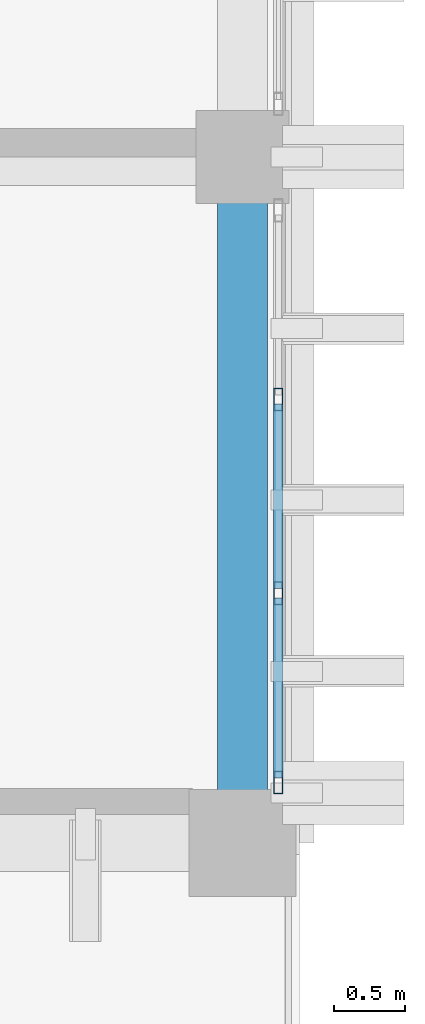
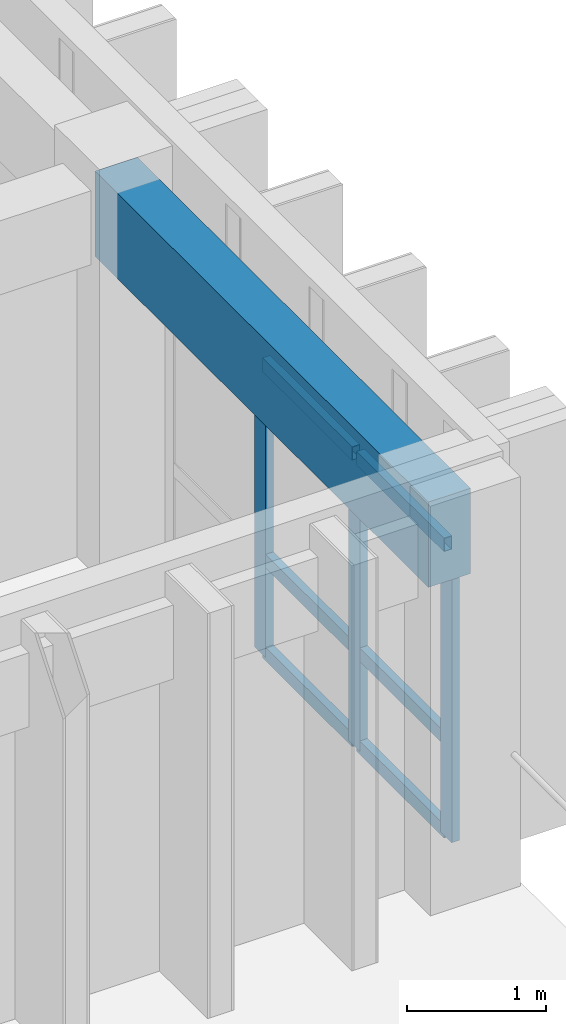
# One storey, part 6 of 64: 9 members, 1 beam, 1 element without a shape of its own.
"""IFC4 building model written with IfcOpenShell, lengths in metres."""

from ifc_helpers import new_model, si_unit, direction, frame, origin, origin_2d, place, context, subcontext, project, spatial, rectangle, hollow_rectangle, extrude, material, layer, layer_set, material_profile, profile_set, type_object, element, aggregate, save


model = new_model("IFC4")

# Units and contexts
model_context = context("Model", 3, precision=1e-05, world=origin(), true_north=direction((0.0, 1.0)))
body_context = subcontext(model_context, "Body", "Model", "MODEL_VIEW")
ifc_project = project(units=[si_unit("LENGTHUNIT", "METRE"), si_unit("AREAUNIT", "SQUARE_METRE"), si_unit("VOLUMEUNIT", "CUBIC_METRE"), si_unit("PLANEANGLEUNIT", "RADIAN"), si_unit("MASSUNIT", "GRAM", prefix="KILO")], contexts=[model_context])

# Site, building, storey
site_placement = place(None, origin())
site = spatial("IfcSite", under=ifc_project, at=site_placement, CompositionType="ELEMENT")
building_placement = place(site_placement, origin())
building = spatial("IfcBuilding", under=site, at=building_placement, Name="Nakhvara Creek Congress Hotel", CompositionType="ELEMENT")
storey_placement = place(building_placement, frame((0.0, 0.0, 28.199951171875)))
storey = spatial("IfcBuildingStorey", under=building, at=storey_placement, Name="L06", CompositionType="ELEMENT", Elevation=28.199951171875)

# Beam
ifc_material_1 = material(Name="Concrete C40/50", Category="concrete")
ifc_material_profile_1 = material_profile(ifc_material_1, rectangle(XDim=0.35009765625, YDim=0.75, at=origin_2d()), Name="RC-SPANDREL 350x750", Category="LoadBearing")
ifc_profile_set_1 = profile_set([ifc_material_profile_1], Name="Concrete C40/50")
beam_type = type_object("IfcBeamType", Name="BM-SPN-350X750", PredefinedType="SPANDREL", material=ifc_profile_set_1)
beam_placement = place(storey_placement, frame((179.35009765625, 38.39990234375, 2.965087890625), z_axis=(0.0, 1.0, 0.0), x_axis=(-1.0, 0.0, 0.0)))
element("IfcBeam", 1, at=beam_placement, inside=storey, type_object=beam_type, Name="Beam SP1-L06-2275", PredefinedType="SPANDREL", context=body_context, shape_type="SweptSolid", body=[
    extrude(rectangle(XDim=0.35009765625, YDim=0.75, at=origin_2d()), origin(), (0.0, 0.0, 1.0), 4.800048828125),
])

# Curtain wall, members
ifc_material_2 = material(Name="Bronze-anodised aluminium AW-6063-T6 and double-silver low-E glass", Category="aluminium")
ifc_layer = layer(ifc_material_2, 0.199951171875)
ifc_layer_set = layer_set([ifc_layer], Name="Bronze-anodised aluminium AW-6063-T6 and double-silver low-E glass")
curtain_wall_type = type_object("IfcCurtainWallType", Name="CW-HTL-UNIT", PredefinedType="USERDEFINED", material=ifc_layer_set)
curtain_wall_placement = place(storey_placement, origin())
curtain_wall = element("IfcCurtainWall", 2, at=curtain_wall_placement, inside=storey, type_object=curtain_wall_type, Name="Curtain Wall CW229", ObjectType="UNITISED", PredefinedType="USERDEFINED")
ifc_material_3 = material(Name="Bronze-anodised aluminium AW-6063-T6", Category="aluminium")
ifc_material_profile_2 = material_profile(ifc_material_3, hollow_rectangle(XDim=0.06494140625, YDim=0.159912109375, WallThickness=0.00390625, at=origin_2d()), Name="ALU-MULL 65x160x4", Category="LoadBearing")
ifc_profile_set_2 = profile_set([ifc_material_profile_2], Name="Bronze-anodised aluminium AW-6063-T6")
member_type_1 = type_object("IfcMemberType", Name="CW-MULL-160", PredefinedType="MULLION", material=ifc_profile_set_2)
member_1_placement = place(storey_placement, frame((179.60009765625, 41.50341796875, 0.0), z_axis=(0.0, 0.0, 1.0), x_axis=(1.0, 0.0, 0.0)))
member_1 = element("IfcMember", 3, at=member_1_placement, type_object=member_type_1, Name="CW229 mullion 2", PredefinedType="MULLION", context=body_context, shape_type="SweptSolid", body=[
    extrude(hollow_rectangle(XDim=0.06494140625, YDim=0.159912109375, WallThickness=0.00390625, at=origin_2d()), origin(), (0.0, 0.0, 1.0), 2.58203125),
])
member_2_placement = place(storey_placement, frame((179.60009765625, 40.146728515625, 0.0), z_axis=(0.0, 0.0, 1.0), x_axis=(1.0, 0.0, 0.0)))
member_2 = element("IfcMember", 4, at=member_2_placement, type_object=member_type_1, Name="CW229 mullion 3", PredefinedType="MULLION", context=body_context, shape_type="SweptSolid", body=[
    extrude(hollow_rectangle(XDim=0.06494140625, YDim=0.159912109375, WallThickness=0.00390625, at=origin_2d()), origin(), (0.0, 0.0, 1.0), 2.58203125),
])
member_3_placement = place(storey_placement, frame((179.60009765625, 38.822509765625, 0.0), z_axis=(0.0, 0.0, 1.0), x_axis=(1.0, 0.0, 0.0)))
member_3 = element("IfcMember", 5, at=member_3_placement, type_object=member_type_1, Name="CW229 mullion 4", PredefinedType="MULLION", context=body_context, shape_type="SweptSolid", body=[
    extrude(hollow_rectangle(XDim=0.06494140625, YDim=0.159912109375, WallThickness=0.00390625, at=origin_2d()), origin(), (0.0, 0.0, 1.0), 2.58203125),
])
ifc_material_profile_3 = material_profile(ifc_material_3, hollow_rectangle(XDim=0.06494140625, YDim=0.1201171875, WallThickness=0.00390625, at=origin_2d()), Name="ALU-TRAN 65x120x4", Category="LoadBearing")
ifc_profile_set_3 = profile_set([ifc_material_profile_3], Name="Bronze-anodised aluminium AW-6063-T6")
member_type_2 = type_object("IfcMemberType", Name="CW-TRAN-120", PredefinedType="USERDEFINED", material=ifc_profile_set_3)
member_4_placement = place(storey_placement, frame((179.60009765625, 41.470947265625, 0.032470703125), z_axis=(0.0, -1.0, 0.0), x_axis=(1.0, 0.0, 0.0)))
member_4 = element("IfcMember", 6, at=member_4_placement, type_object=member_type_2, Name="CW229 transom 2.1", ObjectType="TRANSOM", PredefinedType="USERDEFINED", context=body_context, shape_type="SweptSolid", body=[
    extrude(hollow_rectangle(XDim=0.06494140625, YDim=0.1201171875, WallThickness=0.00390625, at=origin_2d()), origin(), (0.0, 0.0, 1.0), 1.291748046875),
])
member_5_placement = place(storey_placement, frame((179.60009765625, 41.470947265625, 0.85009765625), z_axis=(0.0, -1.0, 0.0), x_axis=(1.0, 0.0, 0.0)))
member_5 = element("IfcMember", 7, at=member_5_placement, type_object=member_type_2, Name="CW229 transom 2.2", ObjectType="TRANSOM", PredefinedType="USERDEFINED", context=body_context, shape_type="SweptSolid", body=[
    extrude(hollow_rectangle(XDim=0.06494140625, YDim=0.1201171875, WallThickness=0.00390625, at=origin_2d()), origin(), (0.0, 0.0, 1.0), 1.291748046875),
])
member_6_placement = place(storey_placement, frame((179.60009765625, 41.470947265625, 2.549560546875), z_axis=(0.0, -1.0, 0.0), x_axis=(1.0, 0.0, 0.0)))
member_6 = element("IfcMember", 8, at=member_6_placement, type_object=member_type_2, Name="CW229 transom 2.3", ObjectType="TRANSOM", PredefinedType="USERDEFINED", context=body_context, shape_type="SweptSolid", body=[
    extrude(hollow_rectangle(XDim=0.06494140625, YDim=0.1201171875, WallThickness=0.00390625, at=origin_2d()), origin(), (0.0, 0.0, 1.0), 1.291748046875),
])
member_7_placement = place(storey_placement, frame((179.60009765625, 40.1142578125, 0.032470703125), z_axis=(0.0, -1.0, 0.0), x_axis=(1.0, 0.0, 0.0)))
member_7 = element("IfcMember", 9, at=member_7_placement, type_object=member_type_2, Name="CW229 transom 3.1", ObjectType="TRANSOM", PredefinedType="USERDEFINED", context=body_context, shape_type="SweptSolid", body=[
    extrude(hollow_rectangle(XDim=0.06494140625, YDim=0.1201171875, WallThickness=0.00390625, at=origin_2d()), origin(), (0.0, 0.0, 1.0), 1.25927734375),
])
member_8_placement = place(storey_placement, frame((179.60009765625, 40.1142578125, 0.85009765625), z_axis=(0.0, -1.0, 0.0), x_axis=(1.0, 0.0, 0.0)))
member_8 = element("IfcMember", 10, at=member_8_placement, type_object=member_type_2, Name="CW229 transom 3.2", ObjectType="TRANSOM", PredefinedType="USERDEFINED", context=body_context, shape_type="SweptSolid", body=[
    extrude(hollow_rectangle(XDim=0.06494140625, YDim=0.1201171875, WallThickness=0.00390625, at=origin_2d()), origin(), (0.0, 0.0, 1.0), 1.25927734375),
])
member_9_placement = place(storey_placement, frame((179.60009765625, 40.1142578125, 2.549560546875), z_axis=(0.0, -1.0, 0.0), x_axis=(1.0, 0.0, 0.0)))
member_9 = element("IfcMember", 11, at=member_9_placement, type_object=member_type_2, Name="CW229 transom 3.3", ObjectType="TRANSOM", PredefinedType="USERDEFINED", context=body_context, shape_type="SweptSolid", body=[
    extrude(hollow_rectangle(XDim=0.06494140625, YDim=0.1201171875, WallThickness=0.00390625, at=origin_2d()), origin(), (0.0, 0.0, 1.0), 1.25927734375),
])
aggregate(curtain_wall, [member_1, member_2, member_3, member_4, member_5, member_6, member_7, member_8, member_9])

save(model, "model.ifc")
